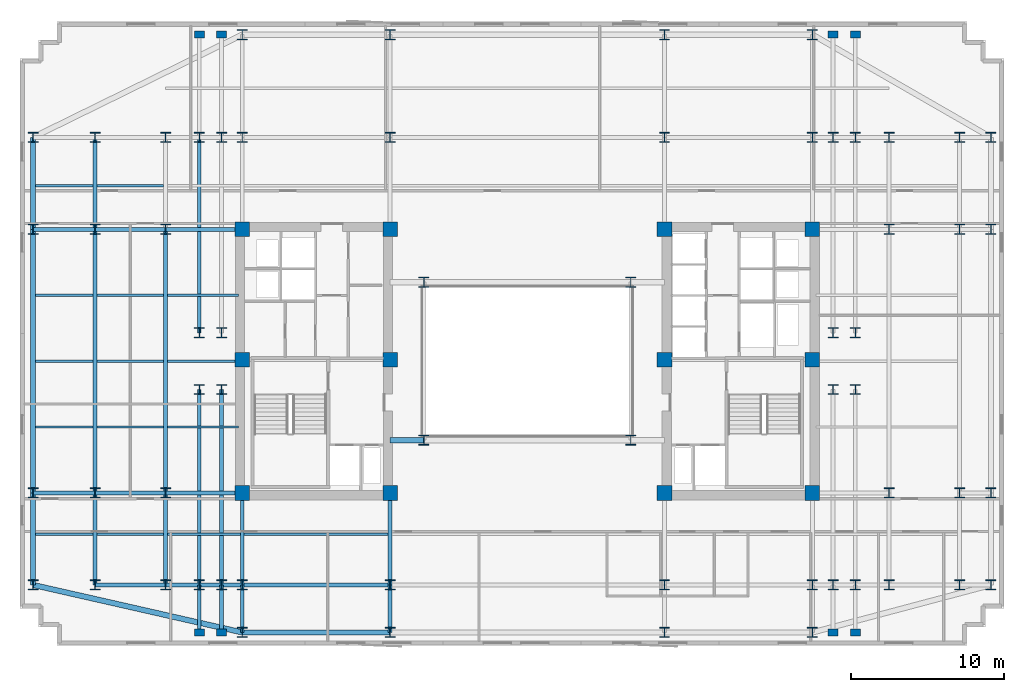
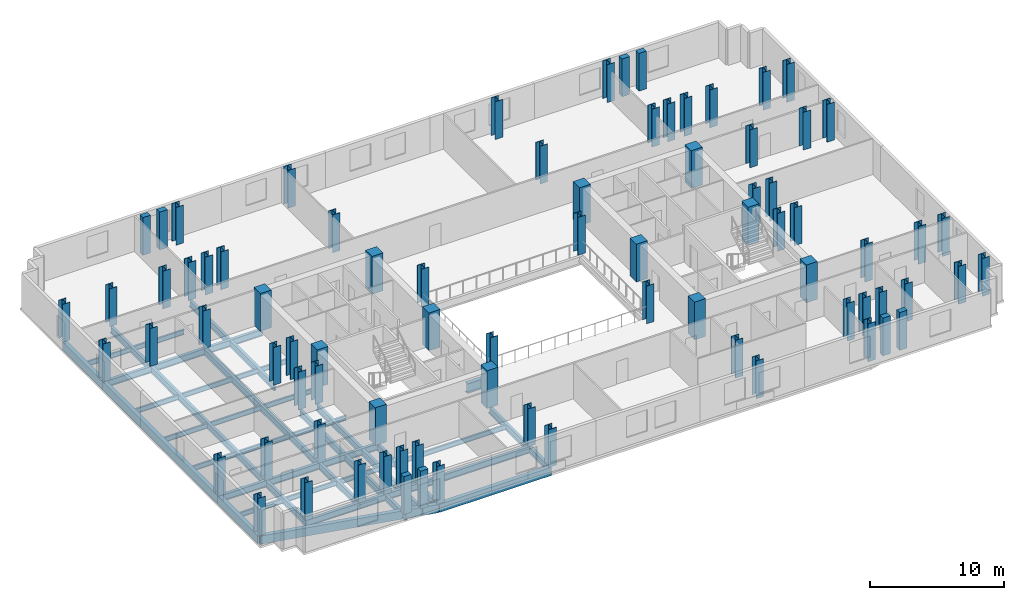
# One storey, part 1 of 9: 80 columns, 44 beams.
"""IFC4 building model written with IfcOpenShell, lengths in metres."""

from ifc_helpers import new_model, si_unit, direction, frame, origin, origin_2d, place, context, subcontext, project, spatial, rectangle, i_section, extrude, material, material_profile, profile_set, type_object, element, save


model = new_model("IFC4")

# Units and contexts
model_context = context("Model", 3, precision=1e-05, world=origin(), true_north=direction((0.0, 1.0)))
body_context = subcontext(model_context, "Body", "Model", "MODEL_VIEW")
ifc_project = project(units=[si_unit("LENGTHUNIT", "METRE"), si_unit("AREAUNIT", "SQUARE_METRE"), si_unit("VOLUMEUNIT", "CUBIC_METRE"), si_unit("PLANEANGLEUNIT", "RADIAN"), si_unit("MASSUNIT", "GRAM", prefix="KILO")], contexts=[model_context])

# Site, building, storey
site_placement = place(None, origin())
site = spatial("IfcSite", under=ifc_project, at=site_placement, CompositionType="ELEMENT")
building_placement = place(site_placement, origin())
building = spatial("IfcBuilding", under=site, at=building_placement, Name="Velakula Bourse", CompositionType="ELEMENT")
storey_placement = place(building_placement, frame((0.0, 0.0, 131.199951171875)))
storey = spatial("IfcBuildingStorey", under=building, at=storey_placement, Name="L35", CompositionType="ELEMENT", Elevation=131.199951171875)

# Columns
ifc_material_1 = material(Name="Concrete M70 (fck 70 MPa)", Category="concrete")
ifc_material_profile_1 = material_profile(ifc_material_1, rectangle(XDim=0.949951171875, YDim=0.949951171875, at=origin_2d()), Name="Concrete M70 (fck 70 MPa)")
ifc_profile_set_1 = profile_set([ifc_material_profile_1], Name="Concrete M70 (fck 70 MPa)")
column_type_1 = type_object("IfcColumnType", Name="COL-RC-950", PredefinedType="COLUMN", material=ifc_profile_set_1)
for number, where, z_axis, x_axis, name in (
    (1, (-8.949951171875, -8.60009765625, 0.0), (0.0, 0.0, 1.0), (1.0, 0.0, 0.0), "L35 Core Boundary Column 01"),
    (2, (-8.949951171875, 0.10009765625, 0.0), (0.0, 0.0, 1.0), (1.0, 0.0, 0.0), "L35 Core Boundary Column 02"),
    (3, (-8.949951171875, 8.60009765625, 0.0), (0.0, 0.0, 1.0), (1.0, 0.0, 0.0), "L35 Core Boundary Column 03"),
    (4, (-18.60009765625, -8.60009765625, 0.0), (0.0, 0.0, 1.0), (1.0, 0.0, 0.0), "L35 Core Boundary Column 04"),
    (5, (-18.60009765625, 0.10009765625, 0.0), (0.0, 0.0, 1.0), (1.0, 0.0, 0.0), "L35 Core Boundary Column 05"),
    (6, (-18.60009765625, 8.60009765625, 0.0), (0.0, 0.0, 1.0), (1.0, 0.0, 0.0), "L35 Core Boundary Column 06"),
    (7, (8.949951171875, -8.60009765625, 0.0), (0.0, 0.0, 1.0), (1.0, 0.0, 0.0), "L35 Core Boundary Column 07"),
    (8, (8.949951171875, 0.10009765625, 0.0), (0.0, 0.0, 1.0), (1.0, 0.0, 0.0), "L35 Core Boundary Column 08"),
    (9, (8.949951171875, 8.60009765625, 0.0), (0.0, 0.0, 1.0), (1.0, 0.0, 0.0), "L35 Core Boundary Column 09"),
    (10, (18.60009765625, -8.60009765625, 0.0), (0.0, 0.0, 1.0), (1.0, 0.0, 0.0), "L35 Core Boundary Column 10"),
    (11, (18.60009765625, 0.10009765625, 0.0), (0.0, 0.0, 1.0), (1.0, 0.0, 0.0), "L35 Core Boundary Column 11"),
    (12, (18.60009765625, 8.60009765625, 0.0), (0.0, 0.0, 1.0), (1.0, 0.0, 0.0), "L35 Core Boundary Column 12"),
):
    element("IfcColumn", number, at=place(storey_placement, frame(where, z_axis=z_axis, x_axis=x_axis)), inside=storey, type_object=column_type_1, Name=name, PredefinedType="COLUMN", context=body_context, shape_type="SweptSolid", body=[
        extrude(rectangle(XDim=0.949951171875, YDim=0.949951171875, at=origin_2d()), origin(), (0.0, 0.0, 1.0), 3.449951171875),
    ])
ifc_material_2 = material(Name="Steel IS 2062 Grade 350 (E350)", Category="steel")
ifc_material_profile_2 = material_profile(ifc_material_2, i_section(OverallWidth=0.64990234375, OverallDepth=0.64990234375, WebThickness=0.028076171875, FlangeThickness=0.0400390625, at=origin_2d()), Name="Steel IS 2062 Grade 350 (E350)")
ifc_profile_set_2 = profile_set([ifc_material_profile_2], Name="Steel IS 2062 Grade 350 (E350)")
column_type_2 = type_object("IfcColumnType", Name="COL-STL-650", PredefinedType="COLUMN", material=ifc_profile_set_2)
for number, where, z_axis, x_axis, name in (
    (13, (-6.75, -5.14990234375, 0.0), (0.0, 0.0, 1.0), (1.0, 0.0, 0.0), "L35 Central Spine Column 01"),
    (14, (-6.75, 5.14990234375, 0.0), (0.0, 0.0, 1.0), (1.0, 0.0, 0.0), "L35 Central Spine Column 02"),
    (15, (6.75, -5.14990234375, 0.0), (0.0, 0.0, 1.0), (1.0, 0.0, 0.0), "L35 Central Spine Column 03"),
    (16, (6.75, 5.14990234375, 0.0), (0.0, 0.0, 1.0), (1.0, 0.0, 0.0), "L35 Central Spine Column 04"),
    (17, (-21.39990234375, -14.60009765625, 0.0), (0.0, 0.0, 1.0), (1.0, 0.0, 0.0), "L35 Tower Fulcrum Column 01"),
    (18, (-21.39990234375, 14.60009765625, 0.0), (0.0, 0.0, 1.0), (1.0, 0.0, 0.0), "L35 Tower Fulcrum Column 02"),
    (19, (-19.949951171875, -14.60009765625, 0.0), (0.0, 0.0, 1.0), (1.0, 0.0, 0.0), "L35 Tower Fulcrum Column 03"),
    (20, (-19.949951171875, 14.60009765625, 0.0), (0.0, 0.0, 1.0), (1.0, 0.0, 0.0), "L35 Tower Fulcrum Column 04"),
    (21, (-18.60009765625, -14.60009765625, 0.0), (0.0, 0.0, 1.0), (1.0, 0.0, 0.0), "L35 Tower Fulcrum Column 05"),
    (22, (-18.60009765625, 14.60009765625, 0.0), (0.0, 0.0, 1.0), (1.0, 0.0, 0.0), "L35 Tower Fulcrum Column 06"),
    (23, (-8.949951171875, -14.60009765625, 0.0), (0.0, 0.0, 1.0), (1.0, 0.0, 0.0), "L35 Tower Fulcrum Column 07"),
    (24, (-8.949951171875, 14.60009765625, 0.0), (0.0, 0.0, 1.0), (1.0, 0.0, 0.0), "L35 Tower Fulcrum Column 08"),
    (25, (8.949951171875, -14.60009765625, 0.0), (0.0, 0.0, 1.0), (1.0, 0.0, 0.0), "L35 Tower Fulcrum Column 09"),
    (26, (8.949951171875, 14.60009765625, 0.0), (0.0, 0.0, 1.0), (1.0, 0.0, 0.0), "L35 Tower Fulcrum Column 10"),
    (27, (18.60009765625, -14.60009765625, 0.0), (0.0, 0.0, 1.0), (1.0, 0.0, 0.0), "L35 Tower Fulcrum Column 11"),
    (28, (18.60009765625, 14.60009765625, 0.0), (0.0, 0.0, 1.0), (1.0, 0.0, 0.0), "L35 Tower Fulcrum Column 12"),
    (29, (19.949951171875, -14.60009765625, 0.0), (0.0, 0.0, 1.0), (1.0, 0.0, 0.0), "L35 Tower Fulcrum Column 13"),
    (30, (19.949951171875, 14.60009765625, 0.0), (0.0, 0.0, 1.0), (1.0, 0.0, 0.0), "L35 Tower Fulcrum Column 14"),
    (31, (21.39990234375, -14.60009765625, 0.0), (0.0, 0.0, 1.0), (1.0, 0.0, 0.0), "L35 Tower Fulcrum Column 15"),
    (32, (21.39990234375, 14.60009765625, 0.0), (0.0, 0.0, 1.0), (1.0, 0.0, 0.0), "L35 Tower Fulcrum Column 16"),
    (33, (-21.39990234375, -1.85009765625, 0.0), (0.0, 0.0, 1.0), (1.0, 0.0, 0.0), "L35 Tower Fulcrum Column 17"),
    (34, (-21.39990234375, 1.85009765625, 0.0), (0.0, 0.0, 1.0), (1.0, 0.0, 0.0), "L35 Tower Fulcrum Column 18"),
    (35, (-19.949951171875, -1.85009765625, 0.0), (0.0, 0.0, 1.0), (1.0, 0.0, 0.0), "L35 Tower Fulcrum Column 19"),
    (36, (-19.949951171875, 1.85009765625, 0.0), (0.0, 0.0, 1.0), (1.0, 0.0, 0.0), "L35 Tower Fulcrum Column 20"),
    (37, (19.949951171875, -1.85009765625, 0.0), (0.0, 0.0, 1.0), (1.0, 0.0, 0.0), "L35 Tower Fulcrum Column 21"),
    (38, (19.949951171875, 1.85009765625, 0.0), (0.0, 0.0, 1.0), (1.0, 0.0, 0.0), "L35 Tower Fulcrum Column 22"),
    (39, (21.39990234375, -1.85009765625, 0.0), (0.0, 0.0, 1.0), (1.0, 0.0, 0.0), "L35 Tower Fulcrum Column 23"),
    (40, (21.39990234375, 1.85009765625, 0.0), (0.0, 0.0, 1.0), (1.0, 0.0, 0.0), "L35 Tower Fulcrum Column 24"),
    (41, (-23.60009765625, -14.60009765625, 0.0), (0.0, 0.0, 1.0), (1.0, 0.0, 0.0), "L35 Mid-Wing Plumb Column 01"),
    (42, (-23.60009765625, -8.60009765625, 0.0), (0.0, 0.0, 1.0), (1.0, 0.0, 0.0), "L35 Mid-Wing Plumb Column 02"),
    (43, (-23.60009765625, 8.60009765625, 0.0), (0.0, 0.0, 1.0), (1.0, 0.0, 0.0), "L35 Mid-Wing Plumb Column 03"),
    (44, (-23.60009765625, 14.60009765625, 0.0), (0.0, 0.0, 1.0), (1.0, 0.0, 0.0), "L35 Mid-Wing Plumb Column 04"),
    (45, (23.60009765625, -14.60009765625, 0.0), (0.0, 0.0, 1.0), (1.0, 0.0, 0.0), "L35 Mid-Wing Plumb Column 05"),
    (46, (23.60009765625, -8.60009765625, 0.0), (0.0, 0.0, 1.0), (1.0, 0.0, 0.0), "L35 Mid-Wing Plumb Column 06"),
    (47, (23.60009765625, 8.60009765625, 0.0), (0.0, 0.0, 1.0), (1.0, 0.0, 0.0), "L35 Mid-Wing Plumb Column 07"),
    (48, (23.60009765625, 14.60009765625, 0.0), (0.0, 0.0, 1.0), (1.0, 0.0, 0.0), "L35 Mid-Wing Plumb Column 08"),
    (49, (-28.199951171875, -14.60009765625, 0.0), (0.0, 0.0, 1.0), (1.0, 0.0, 0.0), "L35 Lower Wing Column 01"),
    (50, (-28.199951171875, -8.60009765625, 0.0), (0.0, 0.0, 1.0), (1.0, 0.0, 0.0), "L35 Lower Wing Column 02"),
    (51, (-28.199951171875, 8.60009765625, 0.0), (0.0, 0.0, 1.0), (1.0, 0.0, 0.0), "L35 Lower Wing Column 03"),
    (52, (-28.199951171875, 14.60009765625, 0.0), (0.0, 0.0, 1.0), (1.0, 0.0, 0.0), "L35 Lower Wing Column 04"),
    (53, (28.199951171875, -14.60009765625, 0.0), (0.0, 0.0, 1.0), (1.0, 0.0, 0.0), "L35 Lower Wing Column 05"),
    (54, (28.199951171875, -8.60009765625, 0.0), (0.0, 0.0, 1.0), (1.0, 0.0, 0.0), "L35 Lower Wing Column 06"),
    (55, (28.199951171875, 8.60009765625, 0.0), (0.0, 0.0, 1.0), (1.0, 0.0, 0.0), "L35 Lower Wing Column 07"),
    (56, (28.199951171875, 14.60009765625, 0.0), (0.0, 0.0, 1.0), (1.0, 0.0, 0.0), "L35 Lower Wing Column 08"),
    (57, (-18.60009765625, -17.699951171875, 0.0), (0.0, 0.0, 1.0), (1.0, 0.0, 0.0), "L35 Block B3 Perimeter Column S1"),
    (58, (-8.949951171875, -17.699951171875, 0.0), (0.0, 0.0, 1.0), (1.0, 0.0, 0.0), "L35 Block B3 Perimeter Column S2"),
    (59, (8.949951171875, -17.699951171875, 0.0), (0.0, 0.0, 1.0), (1.0, 0.0, 0.0), "L35 Block B3 Perimeter Column S3"),
    (60, (18.60009765625, -17.699951171875, 0.0), (0.0, 0.0, 1.0), (1.0, 0.0, 0.0), "L35 Block B3 Perimeter Column S4"),
    (61, (-18.60009765625, 21.300048828125, 0.0), (0.0, 0.0, 1.0), (1.0, 0.0, 0.0), "L35 Block B3 Perimeter Column N1"),
    (62, (-8.949951171875, 21.300048828125, 0.0), (0.0, 0.0, 1.0), (1.0, 0.0, 0.0), "L35 Block B3 Perimeter Column N2"),
    (63, (8.949951171875, 21.300048828125, 0.0), (0.0, 0.0, 1.0), (1.0, 0.0, 0.0), "L35 Block B3 Perimeter Column N3"),
    (64, (18.60009765625, 21.300048828125, 0.0), (0.0, 0.0, 1.0), (1.0, 0.0, 0.0), "L35 Block B3 Perimeter Column N4"),
    (65, (-32.25, -14.60009765625, 0.0), (0.0, 0.0, 1.0), (1.0, 0.0, 0.0), "L35 Block B3 Perimeter Column W1"),
    (66, (-32.25, -8.60009765625, 0.0), (0.0, 0.0, 1.0), (1.0, 0.0, 0.0), "L35 Block B3 Perimeter Column W2"),
    (67, (-32.25, 8.60009765625, 0.0), (0.0, 0.0, 1.0), (1.0, 0.0, 0.0), "L35 Block B3 Perimeter Column W3"),
    (68, (-32.25, 14.60009765625, 0.0), (0.0, 0.0, 1.0), (1.0, 0.0, 0.0), "L35 Block B3 Perimeter Column W4"),
    (69, (30.25, -14.60009765625, 0.0), (0.0, 0.0, 1.0), (1.0, 0.0, 0.0), "L35 Block B3 Perimeter Column E1"),
    (70, (30.25, -8.60009765625, 0.0), (0.0, 0.0, 1.0), (1.0, 0.0, 0.0), "L35 Block B3 Perimeter Column E2"),
    (71, (30.25, 8.60009765625, 0.0), (0.0, 0.0, 1.0), (1.0, 0.0, 0.0), "L35 Block B3 Perimeter Column E3"),
    (72, (30.25, 14.60009765625, 0.0), (0.0, 0.0, 1.0), (1.0, 0.0, 0.0), "L35 Block B3 Perimeter Column E4"),
):
    element("IfcColumn", number, at=place(storey_placement, frame(where, z_axis=z_axis, x_axis=x_axis)), inside=storey, type_object=column_type_2, Name=name, PredefinedType="COLUMN", context=body_context, shape_type="SweptSolid", body=[
        extrude(i_section(OverallWidth=0.64990234375, OverallDepth=0.64990234375, WebThickness=0.028076171875, FlangeThickness=0.0400390625, at=origin_2d()), origin(), (0.0, 0.0, 1.0), 3.449951171875),
    ])
ifc_material_3 = material(Name="Precast concrete M45 (fck 45 MPa)", Category="concrete")
ifc_material_profile_3 = material_profile(ifc_material_3, rectangle(XDim=0.64990234375, YDim=0.449951171875, at=origin_2d()), Name="Precast concrete M45 (fck 45 MPa)")
ifc_profile_set_3 = profile_set([ifc_material_profile_3], Name="Precast concrete M45 (fck 45 MPa)")
column_type_3 = type_object("IfcColumnType", Name="PIL-BRICK-650", PredefinedType="PILASTER", material=ifc_profile_set_3)
for number, where, z_axis, x_axis, name in (
    (73, (-21.39990234375, -17.699951171875, 0.0), (0.0, 0.0, 1.0), (1.0, 0.0, 0.0), "L35 Brick Pier Pilaster 01"),
    (74, (-19.949951171875, -17.699951171875, 0.0), (0.0, 0.0, 1.0), (1.0, 0.0, 0.0), "L35 Brick Pier Pilaster 02"),
    (75, (19.949951171875, -17.699951171875, 0.0), (0.0, 0.0, 1.0), (1.0, 0.0, 0.0), "L35 Brick Pier Pilaster 03"),
    (76, (21.39990234375, -17.699951171875, 0.0), (0.0, 0.0, 1.0), (1.0, 0.0, 0.0), "L35 Brick Pier Pilaster 04"),
    (77, (-21.39990234375, 21.300048828125, 0.0), (0.0, 0.0, 1.0), (1.0, 0.0, 0.0), "L35 Brick Pier Pilaster 05"),
    (78, (-19.949951171875, 21.300048828125, 0.0), (0.0, 0.0, 1.0), (1.0, 0.0, 0.0), "L35 Brick Pier Pilaster 06"),
    (79, (19.949951171875, 21.300048828125, 0.0), (0.0, 0.0, 1.0), (1.0, 0.0, 0.0), "L35 Brick Pier Pilaster 07"),
    (80, (21.39990234375, 21.300048828125, 0.0), (0.0, 0.0, 1.0), (1.0, 0.0, 0.0), "L35 Brick Pier Pilaster 08"),
):
    element("IfcColumn", number, at=place(storey_placement, frame(where, z_axis=z_axis, x_axis=x_axis)), inside=storey, type_object=column_type_3, Name=name, PredefinedType="PILASTER", context=body_context, shape_type="SweptSolid", body=[
        extrude(rectangle(XDim=0.64990234375, YDim=0.449951171875, at=origin_2d()), origin(), (0.0, 0.0, 1.0), 3.449951171875),
    ])

# Beams
ifc_material_profile_4 = material_profile(ifc_material_2, i_section(OverallWidth=0.25, OverallDepth=0.60009765625, WebThickness=0.01123046875, FlangeThickness=0.021240234375, at=origin_2d()), Name="Steel IS 2062 Grade 350 (E350)")
ifc_profile_set_4 = profile_set([ifc_material_profile_4], Name="Steel IS 2062 Grade 350 (E350)")
beam_type_1 = type_object("IfcBeamType", Name="BM-GRD-600M", PredefinedType="BEAM", material=ifc_profile_set_4)
for number, where, z_axis, x_axis, name in (
    (81, (-18.60009765625, -14.60009765625, -0.47998046875), (0.0, 1.0, 0.0), (-1.0, 0.0, 0.0), "L35 Fulcrum Grid Girder FLC-WS"),
    (82, (-8.949951171875, -14.60009765625, -0.47998046875), (0.0, 1.0, 0.0), (-1.0, 0.0, 0.0), "L35 Fulcrum Grid Girder FLC-WCS"),
):
    element("IfcBeam", number, at=place(storey_placement, frame(where, z_axis=z_axis, x_axis=x_axis)), inside=storey, type_object=beam_type_1, Name=name, PredefinedType="BEAM", context=body_context, shape_type="SweptSolid", body=[
        extrude(i_section(OverallWidth=0.25, OverallDepth=0.60009765625, WebThickness=0.01123046875, FlangeThickness=0.021240234375, at=origin_2d()), origin(), (0.0, 0.0, 1.0), 6.0),
    ])
beam_1_placement = place(storey_placement, frame((-18.60009765625, -14.60009765625, -0.47998046875), z_axis=(1.0, 0.0, 0.0), x_axis=(0.0, 1.0, 0.0)))
element("IfcBeam", 83, at=beam_1_placement, inside=storey, type_object=beam_type_1, Name="L35 Fulcrum Grid Girder FLC-S1", PredefinedType="BEAM", context=body_context, shape_type="SweptSolid", body=[
    extrude(i_section(OverallWidth=0.25, OverallDepth=0.60009765625, WebThickness=0.01123046875, FlangeThickness=0.021240234375, at=origin_2d()), origin(), (0.0, 0.0, 1.0), 9.650146484375),
])
for number, where, z_axis, x_axis, name in (
    (84, (-21.39990234375, -14.60009765625, -0.47998046875), (0.0, 1.0, 0.0), (-1.0, 0.0, 0.0), "L35 Fulcrum Grid Girder FLC-PSW1"),
    (85, (-21.39990234375, 1.85009765625, -0.47998046875), (0.0, 1.0, 0.0), (-1.0, 0.0, 0.0), "L35 Fulcrum Grid Girder FLC-PNW1"),
    (86, (-19.949951171875, -14.60009765625, -0.47998046875), (0.0, 1.0, 0.0), (-1.0, 0.0, 0.0), "L35 Fulcrum Grid Girder FLC-PSW2"),
):
    element("IfcBeam", number, at=place(storey_placement, frame(where, z_axis=z_axis, x_axis=x_axis)), inside=storey, type_object=beam_type_1, Name=name, PredefinedType="BEAM", context=body_context, shape_type="SweptSolid", body=[
        extrude(i_section(OverallWidth=0.25, OverallDepth=0.60009765625, WebThickness=0.01123046875, FlangeThickness=0.021240234375, at=origin_2d()), origin(), (0.0, 0.0, 1.0), 12.75),
    ])
for number, where, z_axis, x_axis, name in (
    (87, (-23.60009765625, -14.60009765625, -0.47998046875), (1.0, 0.0, 0.0), (0.0, 1.0, 0.0), "L35 Fulcrum Grid Girder MWG-WS1"),
    (88, (-23.60009765625, -8.60009765625, -0.47998046875), (1.0, 0.0, 0.0), (0.0, 1.0, 0.0), "L35 Fulcrum Grid Girder MWG-WS2"),
    (89, (-23.60009765625, 8.60009765625, -0.47998046875), (1.0, 0.0, 0.0), (0.0, 1.0, 0.0), "L35 Fulcrum Grid Girder MWG-WN1"),
):
    element("IfcBeam", number, at=place(storey_placement, frame(where, z_axis=z_axis, x_axis=x_axis)), inside=storey, type_object=beam_type_1, Name=name, PredefinedType="BEAM", context=body_context, shape_type="SweptSolid", body=[
        extrude(i_section(OverallWidth=0.25, OverallDepth=0.60009765625, WebThickness=0.01123046875, FlangeThickness=0.021240234375, at=origin_2d()), origin(), (0.0, 0.0, 1.0), 5.0),
    ])
beam_2_placement = place(storey_placement, frame((-23.60009765625, -14.60009765625, -0.47998046875), z_axis=(0.0, 1.0, 0.0), x_axis=(-1.0, 0.0, 0.0)))
element("IfcBeam", 90, at=beam_2_placement, inside=storey, type_object=beam_type_1, Name="L35 Fulcrum Grid Girder MWG-WNS1", PredefinedType="BEAM", context=body_context, shape_type="SweptSolid", body=[
    extrude(i_section(OverallWidth=0.25, OverallDepth=0.60009765625, WebThickness=0.01123046875, FlangeThickness=0.021240234375, at=origin_2d()), origin(), (0.0, 0.0, 1.0), 6.0),
])
beam_3_placement = place(storey_placement, frame((-23.60009765625, -8.60009765625, -0.47998046875), z_axis=(0.0, 1.0, 0.0), x_axis=(-1.0, 0.0, 0.0)))
element("IfcBeam", 91, at=beam_3_placement, inside=storey, type_object=beam_type_1, Name="L35 Fulcrum Grid Girder MWG-WNS2", PredefinedType="BEAM", context=body_context, shape_type="SweptSolid", body=[
    extrude(i_section(OverallWidth=0.25, OverallDepth=0.60009765625, WebThickness=0.01123046875, FlangeThickness=0.021240234375, at=origin_2d()), origin(), (0.0, 0.0, 1.0), 17.2001953125),
])
for number, where, z_axis, x_axis, name in (
    (92, (-28.199951171875, -14.60009765625, -0.47998046875), (1.0, 0.0, 0.0), (0.0, 1.0, 0.0), "L35 Fulcrum Grid Girder WNG-WS1"),
    (93, (-28.199951171875, -8.60009765625, -0.47998046875), (1.0, 0.0, 0.0), (0.0, 1.0, 0.0), "L35 Fulcrum Grid Girder WNG-WS2"),
    (94, (-28.199951171875, 8.60009765625, -0.47998046875), (1.0, 0.0, 0.0), (0.0, 1.0, 0.0), "L35 Fulcrum Grid Girder WNG-WN1"),
):
    element("IfcBeam", number, at=place(storey_placement, frame(where, z_axis=z_axis, x_axis=x_axis)), inside=storey, type_object=beam_type_1, Name=name, PredefinedType="BEAM", context=body_context, shape_type="SweptSolid", body=[
        extrude(i_section(OverallWidth=0.25, OverallDepth=0.60009765625, WebThickness=0.01123046875, FlangeThickness=0.021240234375, at=origin_2d()), origin(), (0.0, 0.0, 1.0), 4.599853515625),
    ])
beam_4_placement = place(storey_placement, frame((-28.199951171875, -14.60009765625, -0.47998046875), z_axis=(0.0, 1.0, 0.0), x_axis=(-1.0, 0.0, 0.0)))
element("IfcBeam", 95, at=beam_4_placement, inside=storey, type_object=beam_type_1, Name="L35 Fulcrum Grid Girder WNG-WNS1", PredefinedType="BEAM", context=body_context, shape_type="SweptSolid", body=[
    extrude(i_section(OverallWidth=0.25, OverallDepth=0.60009765625, WebThickness=0.01123046875, FlangeThickness=0.021240234375, at=origin_2d()), origin(), (0.0, 0.0, 1.0), 6.0),
])
beam_5_placement = place(storey_placement, frame((-28.199951171875, -8.60009765625, -0.47998046875), z_axis=(0.0, 1.0, 0.0), x_axis=(-1.0, 0.0, 0.0)))
element("IfcBeam", 96, at=beam_5_placement, inside=storey, type_object=beam_type_1, Name="L35 Fulcrum Grid Girder WNG-WNS2", PredefinedType="BEAM", context=body_context, shape_type="SweptSolid", body=[
    extrude(i_section(OverallWidth=0.25, OverallDepth=0.60009765625, WebThickness=0.01123046875, FlangeThickness=0.021240234375, at=origin_2d()), origin(), (0.0, 0.0, 1.0), 17.2001953125),
])
beam_6_placement = place(storey_placement, frame((-28.199951171875, 8.60009765625, -0.47998046875), z_axis=(0.0, 1.0, 0.0), x_axis=(-1.0, 0.0, 0.0)))
element("IfcBeam", 97, at=beam_6_placement, inside=storey, type_object=beam_type_1, Name="L35 Fulcrum Grid Girder WNG-WNS3", PredefinedType="BEAM", context=body_context, shape_type="SweptSolid", body=[
    extrude(i_section(OverallWidth=0.25, OverallDepth=0.60009765625, WebThickness=0.01123046875, FlangeThickness=0.021240234375, at=origin_2d()), origin(), (0.0, 0.0, 1.0), 6.0),
])
for number, where, z_axis, x_axis, name in (
    (98, (-18.60009765625, -14.60009765625, -0.47998046875), (0.0, -1.0, 0.0), (1.0, 0.0, 0.0), "L35 Perimeter Tie Girder S1"),
    (99, (-8.949951171875, -14.60009765625, -0.47998046875), (0.0, -1.0, 0.0), (1.0, 0.0, 0.0), "L35 Perimeter Tie Girder S2"),
):
    element("IfcBeam", number, at=place(storey_placement, frame(where, z_axis=z_axis, x_axis=x_axis)), inside=storey, type_object=beam_type_1, Name=name, PredefinedType="BEAM", context=body_context, shape_type="SweptSolid", body=[
        extrude(i_section(OverallWidth=0.25, OverallDepth=0.60009765625, WebThickness=0.01123046875, FlangeThickness=0.021240234375, at=origin_2d()), origin(), (0.0, 0.0, 1.0), 3.099853515625),
    ])
for number, where, z_axis, x_axis, name in (
    (100, (-28.199951171875, -8.60009765625, -0.47998046875), (-1.0, 0.0, 0.0), (0.0, -1.0, 0.0), "L35 Perimeter Tie Girder W2"),
    (101, (-28.199951171875, 8.60009765625, -0.47998046875), (-1.0, 0.0, 0.0), (0.0, -1.0, 0.0), "L35 Perimeter Tie Girder W3"),
):
    element("IfcBeam", number, at=place(storey_placement, frame(where, z_axis=z_axis, x_axis=x_axis)), inside=storey, type_object=beam_type_1, Name=name, PredefinedType="BEAM", context=body_context, shape_type="SweptSolid", body=[
        extrude(i_section(OverallWidth=0.25, OverallDepth=0.60009765625, WebThickness=0.01123046875, FlangeThickness=0.021240234375, at=origin_2d()), origin(), (0.0, 0.0, 1.0), 4.050048828125),
    ])
for number, where, z_axis, x_axis, name in (
    (102, (-21.39990234375, -14.60009765625, -0.47998046875), (0.0, -1.0, 0.0), (1.0, 0.0, 0.0), "L35 Perimeter Tie Girder P01"),
    (103, (-19.949951171875, -14.60009765625, -0.47998046875), (0.0, -1.0, 0.0), (1.0, 0.0, 0.0), "L35 Perimeter Tie Girder P02"),
):
    element("IfcBeam", number, at=place(storey_placement, frame(where, z_axis=z_axis, x_axis=x_axis)), inside=storey, type_object=beam_type_1, Name=name, PredefinedType="BEAM", context=body_context, shape_type="SweptSolid", body=[
        extrude(i_section(OverallWidth=0.25, OverallDepth=0.60009765625, WebThickness=0.01123046875, FlangeThickness=0.021240234375, at=origin_2d()), origin(), (0.0, 0.0, 1.0), 3.099853515625),
    ])
ifc_material_profile_5 = material_profile(ifc_material_2, i_section(OverallWidth=0.35009765625, OverallDepth=0.89990234375, WebThickness=0.02001953125, FlangeThickness=0.031982421875, at=origin_2d()), Name="Steel IS 2062 Grade 350 (E350)")
ifc_profile_set_5 = profile_set([ifc_material_profile_5], Name="Steel IS 2062 Grade 350 (E350)")
beam_type_2 = type_object("IfcBeamType", Name="BM-LNK-900", PredefinedType="BEAM", material=ifc_profile_set_5)
beam_7_placement = place(storey_placement, frame((-8.949951171875, -5.14990234375, -0.6298828125), z_axis=(1.0, 0.0, 0.0), x_axis=(0.0, 1.0, 0.0)))
element("IfcBeam", 104, at=beam_7_placement, inside=storey, type_object=beam_type_2, Name="L35 Primary Backbone Girder LNK-S1", PredefinedType="BEAM", context=body_context, shape_type="SweptSolid", body=[
    extrude(i_section(OverallWidth=0.35009765625, OverallDepth=0.89990234375, WebThickness=0.02001953125, FlangeThickness=0.031982421875, at=origin_2d()), origin(), (0.0, 0.0, 1.0), 2.199951171875),
])
ifc_material_profile_6 = material_profile(ifc_material_2, i_section(OverallWidth=0.14990234375, OverallDepth=0.449951171875, WebThickness=0.009521484375, FlangeThickness=0.017333984375, at=origin_2d()), Name="Steel IS 2062 Grade 350 (E350)")
ifc_profile_set_6 = profile_set([ifc_material_profile_6], Name="Steel IS 2062 Grade 350 (E350)")
beam_type_3 = type_object("IfcBeamType", Name="JST-TWR-450", PredefinedType="JOIST", material=ifc_profile_set_6)
beam_8_placement = place(storey_placement, frame((-32.074951171875, -11.300048828125, -0.405029296875), z_axis=(1.0, 0.0, 0.0), x_axis=(0.0, 1.0, 0.0)))
element("IfcBeam", 105, at=beam_8_placement, inside=storey, type_object=beam_type_3, Name="L35 Trading Floor Composite Joist 01", PredefinedType="JOIST", context=body_context, shape_type="SweptSolid", body=[
    extrude(i_section(OverallWidth=0.14990234375, OverallDepth=0.449951171875, WebThickness=0.009521484375, FlangeThickness=0.017333984375, at=origin_2d()), origin(), (0.0, 0.0, 1.0), 3.75),
])
beam_9_placement = place(storey_placement, frame((-28.074951171875, -11.300048828125, -0.405029296875), z_axis=(1.0, 0.0, 0.0), x_axis=(0.0, 1.0, 0.0)))
element("IfcBeam", 106, at=beam_9_placement, inside=storey, type_object=beam_type_3, Name="L35 Trading Floor Composite Joist 02", PredefinedType="JOIST", context=body_context, shape_type="SweptSolid", body=[
    extrude(i_section(OverallWidth=0.14990234375, OverallDepth=0.449951171875, WebThickness=0.009521484375, FlangeThickness=0.017333984375, at=origin_2d()), origin(), (0.0, 0.0, 1.0), 4.349853515625),
])
beam_10_placement = place(storey_placement, frame((-23.47509765625, -11.300048828125, -0.405029296875), z_axis=(1.0, 0.0, 0.0), x_axis=(0.0, 1.0, 0.0)))
element("IfcBeam", 107, at=beam_10_placement, inside=storey, type_object=beam_type_3, Name="L35 Trading Floor Composite Joist 03", PredefinedType="JOIST", context=body_context, shape_type="SweptSolid", body=[
    extrude(i_section(OverallWidth=0.14990234375, OverallDepth=0.449951171875, WebThickness=0.009521484375, FlangeThickness=0.017333984375, at=origin_2d()), origin(), (0.0, 0.0, 1.0), 4.75),
])
beam_11_placement = place(storey_placement, frame((-18.47509765625, -11.300048828125, -0.405029296875), z_axis=(1.0, 0.0, 0.0), x_axis=(0.0, 1.0, 0.0)))
element("IfcBeam", 108, at=beam_11_placement, inside=storey, type_object=beam_type_3, Name="L35 Trading Floor Composite Joist 04", PredefinedType="JOIST", context=body_context, shape_type="SweptSolid", body=[
    extrude(i_section(OverallWidth=0.14990234375, OverallDepth=0.449951171875, WebThickness=0.009521484375, FlangeThickness=0.017333984375, at=origin_2d()), origin(), (0.0, 0.0, 1.0), 9.400146484375),
])
beam_12_placement = place(storey_placement, frame((-32.074951171875, 11.449951171875, -0.405029296875), z_axis=(1.0, 0.0, 0.0), x_axis=(0.0, 1.0, 0.0)))
element("IfcBeam", 109, at=beam_12_placement, inside=storey, type_object=beam_type_3, Name="L35 Trading Floor Composite Joist 09", PredefinedType="JOIST", context=body_context, shape_type="SweptSolid", body=[
    extrude(i_section(OverallWidth=0.14990234375, OverallDepth=0.449951171875, WebThickness=0.009521484375, FlangeThickness=0.017333984375, at=origin_2d()), origin(), (0.0, 0.0, 1.0), 3.75),
])
beam_13_placement = place(storey_placement, frame((-28.074951171875, 11.449951171875, -0.405029296875), z_axis=(1.0, 0.0, 0.0), x_axis=(0.0, 1.0, 0.0)))
element("IfcBeam", 110, at=beam_13_placement, inside=storey, type_object=beam_type_3, Name="L35 Trading Floor Composite Joist 10", PredefinedType="JOIST", context=body_context, shape_type="SweptSolid", body=[
    extrude(i_section(OverallWidth=0.14990234375, OverallDepth=0.449951171875, WebThickness=0.009521484375, FlangeThickness=0.017333984375, at=origin_2d()), origin(), (0.0, 0.0, 1.0), 4.349853515625),
])
beam_14_placement = place(storey_placement, frame((-32.074951171875, -4.300048828125, -0.405029296875), z_axis=(1.0, 0.0, 0.0), x_axis=(0.0, 1.0, 0.0)))
element("IfcBeam", 111, at=beam_14_placement, inside=storey, type_object=beam_type_3, Name="L35 Trading Floor Composite Joist 25", PredefinedType="JOIST", context=body_context, shape_type="SweptSolid", body=[
    extrude(i_section(OverallWidth=0.14990234375, OverallDepth=0.449951171875, WebThickness=0.009521484375, FlangeThickness=0.017333984375, at=origin_2d()), origin(), (0.0, 0.0, 1.0), 3.75),
])
beam_15_placement = place(storey_placement, frame((-28.074951171875, -4.300048828125, -0.405029296875), z_axis=(1.0, 0.0, 0.0), x_axis=(0.0, 1.0, 0.0)))
element("IfcBeam", 112, at=beam_15_placement, inside=storey, type_object=beam_type_3, Name="L35 Trading Floor Composite Joist 26", PredefinedType="JOIST", context=body_context, shape_type="SweptSolid", body=[
    extrude(i_section(OverallWidth=0.14990234375, OverallDepth=0.449951171875, WebThickness=0.009521484375, FlangeThickness=0.017333984375, at=origin_2d()), origin(), (0.0, 0.0, 1.0), 4.349853515625),
])
beam_16_placement = place(storey_placement, frame((-23.47509765625, -4.300048828125, -0.405029296875), z_axis=(1.0, 0.0, 0.0), x_axis=(0.0, 1.0, 0.0)))
element("IfcBeam", 113, at=beam_16_placement, inside=storey, type_object=beam_type_3, Name="L35 Trading Floor Composite Joist 27", PredefinedType="JOIST", context=body_context, shape_type="SweptSolid", body=[
    extrude(i_section(OverallWidth=0.14990234375, OverallDepth=0.449951171875, WebThickness=0.009521484375, FlangeThickness=0.017333984375, at=origin_2d()), origin(), (0.0, 0.0, 1.0), 4.625),
])
beam_17_placement = place(storey_placement, frame((-32.074951171875, 0.0, -0.405029296875), z_axis=(1.0, 0.0, 0.0), x_axis=(0.0, 1.0, 0.0)))
element("IfcBeam", 114, at=beam_17_placement, inside=storey, type_object=beam_type_3, Name="L35 Trading Floor Composite Joist 30", PredefinedType="JOIST", context=body_context, shape_type="SweptSolid", body=[
    extrude(i_section(OverallWidth=0.14990234375, OverallDepth=0.449951171875, WebThickness=0.009521484375, FlangeThickness=0.017333984375, at=origin_2d()), origin(), (0.0, 0.0, 1.0), 3.75),
])
beam_18_placement = place(storey_placement, frame((-28.074951171875, 0.0, -0.405029296875), z_axis=(1.0, 0.0, 0.0), x_axis=(0.0, 1.0, 0.0)))
element("IfcBeam", 115, at=beam_18_placement, inside=storey, type_object=beam_type_3, Name="L35 Trading Floor Composite Joist 31", PredefinedType="JOIST", context=body_context, shape_type="SweptSolid", body=[
    extrude(i_section(OverallWidth=0.14990234375, OverallDepth=0.449951171875, WebThickness=0.009521484375, FlangeThickness=0.017333984375, at=origin_2d()), origin(), (0.0, 0.0, 1.0), 4.349853515625),
])
beam_19_placement = place(storey_placement, frame((-23.47509765625, 0.0, -0.405029296875), z_axis=(1.0, 0.0, 0.0), x_axis=(0.0, 1.0, 0.0)))
element("IfcBeam", 116, at=beam_19_placement, inside=storey, type_object=beam_type_3, Name="L35 Trading Floor Composite Joist 32", PredefinedType="JOIST", context=body_context, shape_type="SweptSolid", body=[
    extrude(i_section(OverallWidth=0.14990234375, OverallDepth=0.449951171875, WebThickness=0.009521484375, FlangeThickness=0.017333984375, at=origin_2d()), origin(), (0.0, 0.0, 1.0), 4.625),
])
beam_20_placement = place(storey_placement, frame((-32.074951171875, 4.300048828125, -0.405029296875), z_axis=(1.0, 0.0, 0.0), x_axis=(0.0, 1.0, 0.0)))
element("IfcBeam", 117, at=beam_20_placement, inside=storey, type_object=beam_type_3, Name="L35 Trading Floor Composite Joist 35", PredefinedType="JOIST", context=body_context, shape_type="SweptSolid", body=[
    extrude(i_section(OverallWidth=0.14990234375, OverallDepth=0.449951171875, WebThickness=0.009521484375, FlangeThickness=0.017333984375, at=origin_2d()), origin(), (0.0, 0.0, 1.0), 3.75),
])
beam_21_placement = place(storey_placement, frame((-28.074951171875, 4.300048828125, -0.405029296875), z_axis=(1.0, 0.0, 0.0), x_axis=(0.0, 1.0, 0.0)))
element("IfcBeam", 118, at=beam_21_placement, inside=storey, type_object=beam_type_3, Name="L35 Trading Floor Composite Joist 36", PredefinedType="JOIST", context=body_context, shape_type="SweptSolid", body=[
    extrude(i_section(OverallWidth=0.14990234375, OverallDepth=0.449951171875, WebThickness=0.009521484375, FlangeThickness=0.017333984375, at=origin_2d()), origin(), (0.0, 0.0, 1.0), 4.349853515625),
])
beam_22_placement = place(storey_placement, frame((-23.47509765625, 4.300048828125, -0.405029296875), z_axis=(1.0, 0.0, 0.0), x_axis=(0.0, 1.0, 0.0)))
element("IfcBeam", 119, at=beam_22_placement, inside=storey, type_object=beam_type_3, Name="L35 Trading Floor Composite Joist 37", PredefinedType="JOIST", context=body_context, shape_type="SweptSolid", body=[
    extrude(i_section(OverallWidth=0.14990234375, OverallDepth=0.449951171875, WebThickness=0.009521484375, FlangeThickness=0.017333984375, at=origin_2d()), origin(), (0.0, 0.0, 1.0), 4.625),
])
ifc_material_profile_7 = material_profile(ifc_material_3, rectangle(XDim=0.35009765625, YDim=0.75, at=origin_2d()), Name="Precast concrete M45 (fck 45 MPa)")
ifc_profile_set_7 = profile_set([ifc_material_profile_7], Name="Precast concrete M45 (fck 45 MPa)")
beam_type_4 = type_object("IfcBeamType", Name="SPN-BRICK-750", PredefinedType="SPANDREL", material=ifc_profile_set_7)
beam_23_placement = place(storey_placement, frame((-18.60009765625, -17.699951171875, -0.554931640625), z_axis=(1.0, 0.0, 0.0), x_axis=(0.0, 1.0, 0.0)))
element("IfcBeam", 120, at=beam_23_placement, inside=storey, type_object=beam_type_4, Name="L35 Brick-Faced Precast Spandrel S1-S2", PredefinedType="SPANDREL", context=body_context, shape_type="SweptSolid", body=[
    extrude(rectangle(XDim=0.35009765625, YDim=0.75, at=origin_2d()), origin(), (0.0, 0.0, 1.0), 9.650146484375),
])
beam_24_placement = place(storey_placement, frame((-32.25, -14.60009765625, -0.554931640625), z_axis=(0.0, 1.0, 0.0), x_axis=(-1.0, 0.0, 0.0)))
element("IfcBeam", 121, at=beam_24_placement, inside=storey, type_object=beam_type_4, Name="L35 Brick-Faced Precast Spandrel W1-W2", PredefinedType="SPANDREL", context=body_context, shape_type="SweptSolid", body=[
    extrude(rectangle(XDim=0.35009765625, YDim=0.75, at=origin_2d()), origin(), (0.0, 0.0, 1.0), 6.0),
])
beam_25_placement = place(storey_placement, frame((-32.25, -8.60009765625, -0.554931640625), z_axis=(0.0, 1.0, 0.0), x_axis=(-1.0, 0.0, 0.0)))
element("IfcBeam", 122, at=beam_25_placement, inside=storey, type_object=beam_type_4, Name="L35 Brick-Faced Precast Spandrel W2-W3", PredefinedType="SPANDREL", context=body_context, shape_type="SweptSolid", body=[
    extrude(rectangle(XDim=0.35009765625, YDim=0.75, at=origin_2d()), origin(), (0.0, 0.0, 1.0), 17.2001953125),
])
beam_26_placement = place(storey_placement, frame((-32.25, 8.60009765625, -0.554931640625), z_axis=(0.0, 1.0, 0.0), x_axis=(-1.0, 0.0, 0.0)))
element("IfcBeam", 123, at=beam_26_placement, inside=storey, type_object=beam_type_4, Name="L35 Brick-Faced Precast Spandrel W3-W4", PredefinedType="SPANDREL", context=body_context, shape_type="SweptSolid", body=[
    extrude(rectangle(XDim=0.35009765625, YDim=0.75, at=origin_2d()), origin(), (0.0, 0.0, 1.0), 6.0),
])
beam_27_placement = place(storey_placement, frame((-32.25, -14.60009765625, -0.554931640625), z_axis=(0.975169850292, -0.221458264875, 0.0), x_axis=(0.221458264875, 0.975169850292, 0.0)))
element("IfcBeam", 124, at=beam_27_placement, inside=storey, type_object=beam_type_4, Name="L35 Brick-Faced Precast Spandrel W1-S1", PredefinedType="SPANDREL", context=body_context, shape_type="SweptSolid", body=[
    extrude(rectangle(XDim=0.35009765625, YDim=0.75, at=origin_2d()), origin(), (0.0, 0.0, 1.0), 13.99755859375),
])

save(model, "model.ifc")
